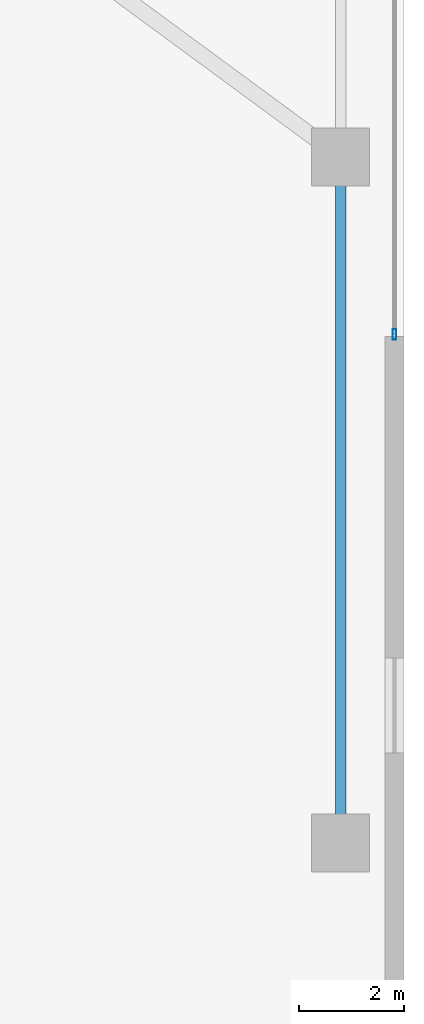
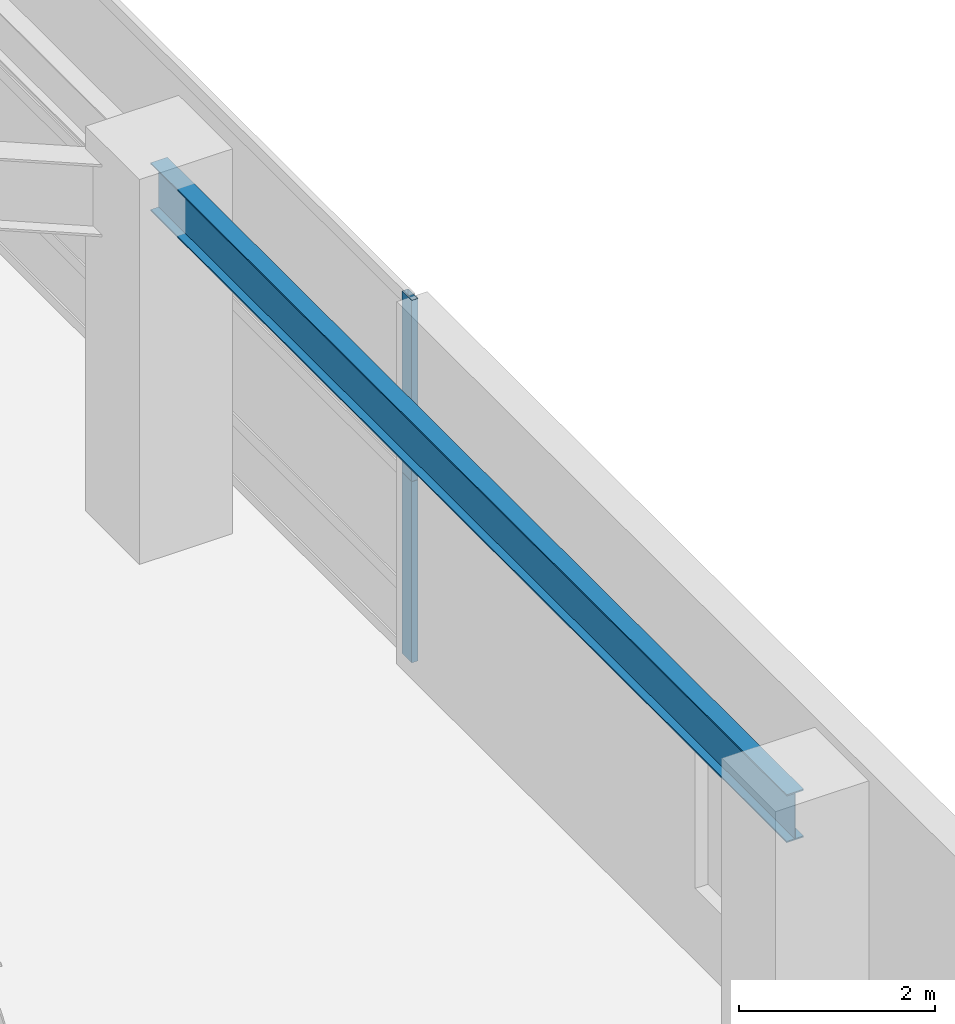
# One storey, part 28 of 39: 2 members, 1 beam, 1 element without a shape of its own.
"""IFC4 building model written with IfcOpenShell, lengths in metres."""

from ifc_helpers import new_model, si_unit, direction, frame, origin, origin_2d, place, context, subcontext, project, spatial, hollow_rectangle, i_section, extrude, source, transform, mapped, material, layer, layer_set, material_profile, profile_set, type_object, element, aggregate, save


model = new_model("IFC4")

# Units and contexts
model_context = context("Model", 3, precision=1e-05, world=origin(), true_north=direction((0.0, 1.0)))
body_context = subcontext(model_context, "Body", "Model", "MODEL_VIEW")
ifc_project = project(units=[si_unit("LENGTHUNIT", "METRE"), si_unit("AREAUNIT", "SQUARE_METRE"), si_unit("VOLUMEUNIT", "CUBIC_METRE"), si_unit("PLANEANGLEUNIT", "RADIAN"), si_unit("MASSUNIT", "GRAM", prefix="KILO"), si_unit("THERMODYNAMICTEMPERATUREUNIT", "KELVIN"), si_unit("POWERUNIT", "WATT")], contexts=[model_context])

# Site, building, storey
site_placement = place(None, origin())
site = spatial("IfcSite", under=ifc_project, at=site_placement, CompositionType="ELEMENT")
building_placement = place(site_placement, origin())
building = spatial("IfcBuilding", under=site, at=building_placement, Name="Yuzanri Waterfront Tower", CompositionType="ELEMENT")
storey_placement = place(building_placement, frame((0.0, 0.0, 15.0)))
storey = spatial("IfcBuildingStorey", under=building, at=storey_placement, Name="L04", CompositionType="ELEMENT", Elevation=15.0)

# Beam
ifc_material_1 = material(Name="Steel Q355B", Category="steel")
ifc_material_profile_1 = material_profile(ifc_material_1, i_section(OverallWidth=0.199951171875, OverallDepth=0.60009765625, WebThickness=0.010986328125, FlangeThickness=0.01708984375, at=origin_2d()), Name="HN 600x200x11x17")
ifc_profile_set_1 = profile_set([ifc_material_profile_1], Name="Steel Q355B")
beam_type = type_object("IfcBeamType", Name="Perimeter Spandrel Q355B HN 600x200", PredefinedType="SPANDREL", material=ifc_profile_set_1)
shared_shape_1 = source(origin(), body_context, "Body", "SweptSolid", [
    extrude(i_section(OverallWidth=0.199951171875, OverallDepth=0.60009765625, WebThickness=0.010986328125, FlangeThickness=0.01708984375, at=origin_2d()), origin(), (0.0, 0.0, 1.0), 13.0),
])
beam_placement = place(storey_placement, frame((70.800048828125, 6.39990234375, 4.219970703125), z_axis=(0.0, 1.0, 0.0), x_axis=(-1.0, 0.0, 0.0)))
element("IfcBeam", 1, at=beam_placement, inside=storey, type_object=beam_type, Name="L04 East Podium Spandrel 1", PredefinedType="SPANDREL", context=body_context, shape_type="MappedRepresentation", body=[
    mapped(shared_shape_1, transform((0.0, 0.0, 0.0), scale=1.0)),
])

# Curtain wall, members
ifc_material_2 = material(Name="Anodized Architectural Bronze", Category="metal")
ifc_layer = layer(ifc_material_2, 0.159912109375)
ifc_layer_set = layer_set([ifc_layer], Name="Anodized Architectural Bronze")
curtain_wall_type = type_object("IfcCurtainWallType", Name="Anodized Bronze Podium Waterfront Double-Height Unitized Curtain Wall 8400", PredefinedType="NOTDEFINED", material=ifc_layer_set)
curtain_wall_placement = place(storey_placement, origin())
curtain_wall = element("IfcCurtainWall", 2, at=curtain_wall_placement, inside=storey, type_object=curtain_wall_type, Name="L04 Curtain Wall CW-L04-E", PredefinedType="NOTDEFINED")
ifc_material_3 = material(Name="Anodized Architectural Bronze", Category="metal")
ifc_material_profile_2 = material_profile(ifc_material_3, hollow_rectangle(XDim=0.074951171875, YDim=0.199951171875, WallThickness=0.00390625, at=origin_2d()), Name="CWM 75x200")
ifc_profile_set_2 = profile_set([ifc_material_profile_2], Name="Anodized Architectural Bronze")
member_type = type_object("IfcMemberType", Name="Anodized Bronze Primary Curtain-Wall Mullion 75x200", PredefinedType="MULLION", material=ifc_profile_set_2)
shared_shape_2 = source(origin(), body_context, "Body", "SweptSolid", [
    extrude(hollow_rectangle(XDim=0.074951171875, YDim=0.199951171875, WallThickness=0.00390625, at=origin_2d()), origin(), (0.0, 0.0, 1.0), 2.258056640625),
])
member_1_placement = place(storey_placement, frame((71.820068359375, 16.0400390625, 0.0), z_axis=(0.0, 0.0, 1.0), x_axis=(1.0, 0.0, 0.0)))
member_1 = element("IfcMember", 3, at=member_1_placement, type_object=member_type, Name="CW-L04-E Lower Mullion 00", PredefinedType="MULLION", context=body_context, shape_type="MappedRepresentation", body=[
    mapped(shared_shape_2, transform((0.0, 0.0, 0.0), scale=1.0)),
])
member_2_placement = place(storey_placement, frame((71.820068359375, 16.0400390625, 2.261962890625), z_axis=(0.0, 0.0, 1.0), x_axis=(1.0, 0.0, 0.0)))
member_2 = element("IfcMember", 4, at=member_2_placement, type_object=member_type, Name="CW-L04-E Upper Mullion 00", PredefinedType="MULLION", context=body_context, shape_type="MappedRepresentation", body=[
    mapped(shared_shape_2, transform((0.0, 0.0, 0.0), scale=1.0)),
])
aggregate(curtain_wall, [member_1, member_2])

save(model, "model.ifc")
